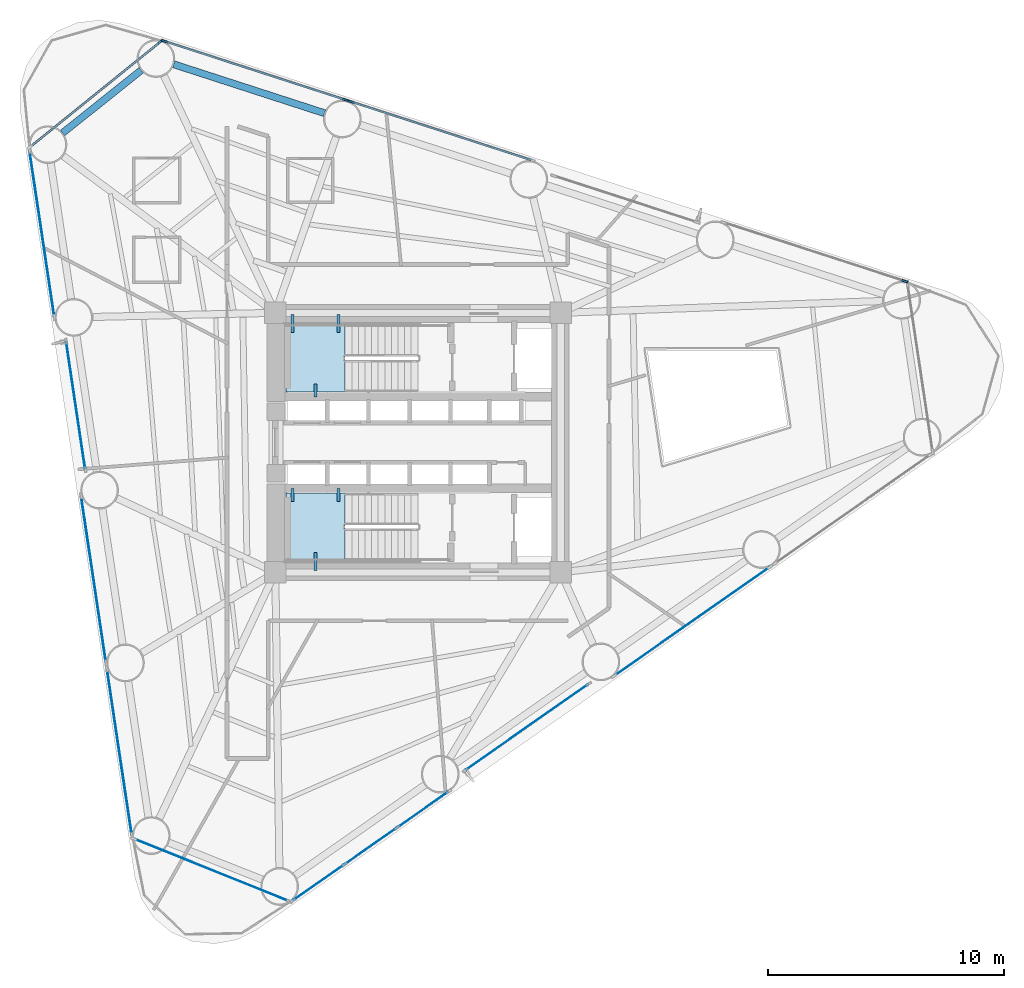
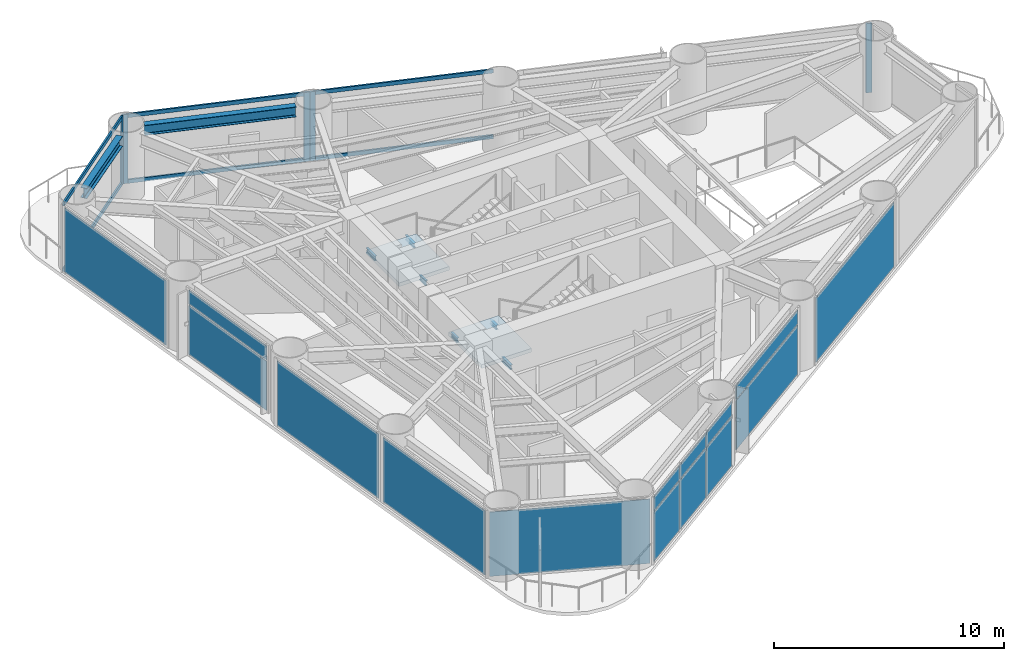
# One storey, part 4 of 9: 15 plates, 11 members, 8 beams, 2 slabs, 14 elements without a shape of their own.
"""IFC4 building model written with IfcOpenShell, lengths in metres."""

from ifc_helpers import new_model, si_unit, direction, frame, origin, origin_2d, place, context, subcontext, project, spatial, polyline, rectangle, i_section, outline, extrude, source, transform, mapped, material, layer, layer_set, material_profile, profile_set, type_object, element, aggregate, save


model = new_model("IFC4")

# Units and contexts
model_context = context("Model", 3, precision=1e-05, world=origin(), true_north=direction((0.0, 1.0)))
body_context = subcontext(model_context, "Body", "Model", "MODEL_VIEW")
ifc_project = project(units=[si_unit("LENGTHUNIT", "METRE"), si_unit("AREAUNIT", "SQUARE_METRE"), si_unit("VOLUMEUNIT", "CUBIC_METRE"), si_unit("PLANEANGLEUNIT", "RADIAN"), si_unit("MASSUNIT", "GRAM", prefix="KILO")], contexts=[model_context])

# Site, building, storey
site_placement = place(None, origin())
site = spatial("IfcSite", under=ifc_project, at=site_placement, CompositionType="ELEMENT")
building_placement = place(site_placement, origin())
building = spatial("IfcBuilding", under=site, at=building_placement, Name="Yunling Apex Tower", CompositionType="ELEMENT")
storey_placement = place(building_placement, frame((0.0, 0.0, 69.800048828125)))
storey = spatial("IfcBuildingStorey", under=building, at=storey_placement, Name="L18", CompositionType="ELEMENT", Elevation=69.800048828125)

# Beams
ifc_material_1 = material(Name="Steel Q355B", Category="steel")
ifc_material_profile_1 = material_profile(ifc_material_1, i_section(OverallWidth=0.125, OverallDepth=0.25, WebThickness=0.006103515625, FlangeThickness=0.009033203125, FilletRadius=0.011962890625, at=origin_2d()))
ifc_profile_set_1 = profile_set([ifc_material_profile_1], Name="Steel Q355B")
beam_type_1 = type_object("IfcBeamType", Name="BL-LNT-1", PredefinedType="LINTEL", material=ifc_profile_set_1)
shared_shape_1 = source(origin(), body_context, "Body", "SweptSolid", [
    extrude(i_section(OverallWidth=0.125, OverallDepth=0.25, WebThickness=0.006103515625, FlangeThickness=0.009033203125, FilletRadius=0.011962890625, at=origin_2d()), origin(), (0.0, 0.0, 1.0), 0.760009765625),
])
for number, where, z_axis, x_axis, name in (
    (1, (-5.320068359375, 5.419921875, 1.554931640625), (0.0, -1.0, 0.0), (1.0, 0.0, 0.0), "L18 ST-1 Landing Bearing Corbel 1-1"),
    (2, (-3.3701171875, 5.419921875, 1.554931640625), (0.0, -1.0, 0.0), (1.0, 0.0, 0.0), "L18 ST-1 Landing Bearing Corbel 1-2"),
    (3, (-4.344970703125, -5.419921875, 1.554931640625), (0.0, 1.0, 0.0), (-1.0, 0.0, 0.0), "L18 ST-2 Landing Bearing Corbel 1-3"),
):
    element("IfcBeam", number, at=place(storey_placement, frame(where, z_axis=z_axis, x_axis=x_axis)), inside=storey, type_object=beam_type_1, Name=name, PredefinedType="LINTEL", context=body_context, shape_type="MappedRepresentation", body=[
        mapped(shared_shape_1, transform((0.0, 0.0, 0.0), scale=1.0)),
    ])
shared_shape_2 = source(origin(), body_context, "Body", "SweptSolid", [
    extrude(i_section(OverallWidth=0.125, OverallDepth=0.25, WebThickness=0.006103515625, FlangeThickness=0.009033203125, FilletRadius=0.011962890625, at=origin_2d()), origin(), (0.0, 0.0, 1.0), 0.550048828125),
])
for number, where, z_axis, x_axis, name in (
    (4, (-4.344970703125, 1.93994140625, 1.554931640625), (0.0, 1.0, 0.0), (-1.0, 0.0, 0.0), "L18 ST-1 Landing Bearing Corbel 1-3"),
    (5, (-5.320068359375, -1.93994140625, 1.554931640625), (0.0, -1.0, 0.0), (1.0, 0.0, 0.0), "L18 ST-2 Landing Bearing Corbel 1-1"),
    (6, (-3.3701171875, -1.93994140625, 1.554931640625), (0.0, -1.0, 0.0), (1.0, 0.0, 0.0), "L18 ST-2 Landing Bearing Corbel 1-2"),
):
    element("IfcBeam", number, at=place(storey_placement, frame(where, z_axis=z_axis, x_axis=x_axis)), inside=storey, type_object=beam_type_1, Name=name, PredefinedType="LINTEL", context=body_context, shape_type="MappedRepresentation", body=[
        mapped(shared_shape_2, transform((0.0, 0.0, 0.0), scale=1.0)),
    ])
ifc_material_profile_2 = material_profile(ifc_material_1, i_section(OverallWidth=0.300048828125, OverallDepth=0.5400390625, WebThickness=0.011962890625, FlangeThickness=0.02001953125, FilletRadius=0.02392578125, at=origin_2d()))
ifc_profile_set_2 = profile_set([ifc_material_profile_2], Name="Steel Q355B")
beam_type_2 = type_object("IfcBeamType", Name="BP-SPN-1", PredefinedType="SPANDREL", material=ifc_profile_set_2)
shared_shape_3 = source(origin(), body_context, "Body", "SweptSolid", [
    extrude(i_section(OverallWidth=0.300048828125, OverallDepth=0.5400390625, WebThickness=0.011962890625, FlangeThickness=0.02001953125, FilletRadius=0.02392578125, at=origin_2d()), origin(), (0.0, 0.0, 1.0), 6.721435546875),
])
beam_1_placement = place(storey_placement, frame((-3.96484375, 13.9638671875, 3.294921875), z_axis=(-0.95126256707, 0.308382114415, 0.0), x_axis=(-0.308382114415, -0.95126256707, 0.0)))
element("IfcBeam", 7, at=beam_1_placement, inside=storey, type_object=beam_type_2, Name="L18 Perimeter Spandrel Beam 9", PredefinedType="SPANDREL", context=body_context, shape_type="MappedRepresentation", body=[
    mapped(shared_shape_3, transform((0.0, 0.0, 0.0), scale=1.0)),
])
shared_shape_4 = source(origin(), body_context, "Body", "SweptSolid", [
    extrude(i_section(OverallWidth=0.300048828125, OverallDepth=0.5400390625, WebThickness=0.011962890625, FlangeThickness=0.02001953125, FilletRadius=0.02392578125, at=origin_2d()), origin(), (0.0, 0.0, 1.0), 4.265869140625),
])
beam_2_placement = place(storey_placement, frame((-11.734619140625, 15.785888671875, 3.294921875), z_axis=(-0.781560697893, -0.623829203796, 0.0), x_axis=(0.623829203796, -0.781560697893, 0.0)))
element("IfcBeam", 8, at=beam_2_placement, inside=storey, type_object=beam_type_2, Name="L18 Perimeter Spandrel Beam 10", PredefinedType="SPANDREL", context=body_context, shape_type="MappedRepresentation", body=[
    mapped(shared_shape_4, transform((0.0, 0.0, 0.0), scale=1.0)),
])

# Curtain wall, member
ifc_material_2 = material(Name="Bronze anodised aluminium", Category="aluminium")
ifc_layer_1 = layer(ifc_material_2, 0.260009765625)
ifc_layer_set_1 = layer_set([ifc_layer_1], Name="Bronze anodised aluminium")
curtain_wall_type = type_object("IfcCurtainWallType", Name="CW-SYS-2", PredefinedType="NOTDEFINED", material=ifc_layer_set_1)
curtain_wall_1_placement = place(storey_placement, origin())
curtain_wall_1 = element("IfcCurtainWall", 9, at=curtain_wall_1_placement, inside=storey, type_object=curtain_wall_type, Name="CW-L18-F2-B1", PredefinedType="NOTDEFINED")
ifc_material_profile_3 = material_profile(ifc_material_2, rectangle(XDim=0.0849609375, YDim=0.260009765625, at=origin_2d()))
ifc_profile_set_3 = profile_set([ifc_material_profile_3], Name="Bronze anodised aluminium")
member_type_1 = type_object("IfcMemberType", Name="CW-MUL-2", PredefinedType="MULLION", material=ifc_profile_set_3)
shared_shape_5 = source(origin(), body_context, "Body", "SweptSolid", [
    extrude(rectangle(XDim=0.0849609375, YDim=0.260009765625, at=origin_2d()), origin(), (0.0, 0.0, 1.0), 3.6650390625),
])
member_1_placement = place(storey_placement, frame((20.63671875, 6.8408203125, -0.050048828125), z_axis=(0.0, 0.0, 1.0), x_axis=(-0.30835735341, -0.951270593784, 0.0)))
member_1 = element("IfcMember", 10, at=member_1_placement, type_object=member_type_1, Name="CW-SYS-2 mullion 1", PredefinedType="MULLION", context=body_context, shape_type="MappedRepresentation", body=[
    mapped(shared_shape_5, transform((0.0, 0.0, 0.0), scale=1.0)),
])
aggregate(curtain_wall_1, [member_1])

curtain_wall_2_placement = place(storey_placement, origin())
curtain_wall_2 = element("IfcCurtainWall", 11, at=curtain_wall_2_placement, inside=storey, type_object=curtain_wall_type, Name="CW-L18-F2-B3", PredefinedType="NOTDEFINED")
member_2_placement = place(storey_placement, frame((-2.84326171875, 14.451904296875, -0.050048828125), z_axis=(0.0, 0.0, 1.0), x_axis=(-0.308368457544, -0.951266994272, 0.0)))
member_2 = element("IfcMember", 12, at=member_2_placement, type_object=member_type_1, Name="CW-SYS-2 mullion 2", PredefinedType="MULLION", context=body_context, shape_type="MappedRepresentation", body=[
    mapped(shared_shape_5, transform((0.0, 0.0, 0.0), scale=1.0)),
])

# Curtain wall, members
curtain_wall_3_placement = place(storey_placement, origin())
curtain_wall_3 = element("IfcCurtainWall", 13, at=curtain_wall_3_placement, inside=storey, type_object=curtain_wall_type, Name="CW-L18-F2-B4", PredefinedType="NOTDEFINED")
member_3_placement = place(storey_placement, frame((-3.076416015625, 14.52734375, -0.050048828125), z_axis=(0.0, 0.0, 1.0), x_axis=(-0.30835735341, -0.951270593784, 0.0)))
member_3 = element("IfcMember", 14, at=member_3_placement, type_object=member_type_1, Name="CW-SYS-2 mullion 1", PredefinedType="MULLION", context=body_context, shape_type="MappedRepresentation", body=[
    mapped(shared_shape_5, transform((0.0, 0.0, 0.0), scale=1.0)),
])
member_4_placement = place(storey_placement, frame((-10.747802734375, 17.01416015625, -0.050048828125), z_axis=(0.0, 0.0, 1.0), x_axis=(-0.30835735341, -0.951270593784, 0.0)))
member_4 = element("IfcMember", 15, at=member_4_placement, type_object=member_type_1, Name="CW-SYS-2 mullion 2", PredefinedType="MULLION", context=body_context, shape_type="MappedRepresentation", body=[
    mapped(shared_shape_5, transform((0.0, 0.0, 0.0), scale=1.0)),
])

# Curtain wall, member
curtain_wall_4_placement = place(storey_placement, origin())
curtain_wall_4 = element("IfcCurtainWall", 16, at=curtain_wall_4_placement, inside=storey, type_object=curtain_wall_type, Name="CW-L18-CRN2", PredefinedType="NOTDEFINED")
member_5_placement = place(storey_placement, frame((-10.903564453125, 17.006103515625, -0.050048828125), z_axis=(0.0, 0.0, 1.0), x_axis=(0.628079941911, -0.778148820322, 0.0)))
member_5 = element("IfcMember", 17, at=member_5_placement, type_object=member_type_1, Name="CW-SYS-2 mullion 1", PredefinedType="MULLION", context=body_context, shape_type="MappedRepresentation", body=[
    mapped(shared_shape_5, transform((0.0, 0.0, 0.0), scale=1.0)),
])

# Member
ifc_material_profile_4 = material_profile(ifc_material_2, rectangle(XDim=0.0849609375, YDim=0.199951171875, at=origin_2d()))
ifc_profile_set_4 = profile_set([ifc_material_profile_4], Name="Bronze anodised aluminium")
member_type_2 = type_object("IfcMemberType", Name="CW-TRN-2", PredefinedType="USERDEFINED", material=ifc_profile_set_4)
shared_shape_6 = source(origin(), body_context, "Body", "SweptSolid", [
    extrude(rectangle(XDim=0.0849609375, YDim=0.199951171875, at=origin_2d()), origin(), (0.0, 0.0, 1.0), 7.98779296875),
])
member_6_placement = place(storey_placement, frame((4.79150390625, 11.976806640625, 0.04248046875), z_axis=(-0.951258205262, 0.308395568907, 0.0), x_axis=(-0.308395568907, -0.951258205262, 0.0)))
member_6 = element("IfcMember", 18, at=member_6_placement, type_object=member_type_2, Name="CW-SYS-2 transom 1.1", ObjectType="TRANSOM", PredefinedType="USERDEFINED", context=body_context, shape_type="MappedRepresentation", body=[
    mapped(shared_shape_6, transform((0.0, 0.0, 0.0), scale=1.0)),
])

member_7_placement = place(storey_placement, frame((4.79150390625, 11.976806640625, 3.5224609375), z_axis=(-0.951258205262, 0.308395568907, 0.0), x_axis=(-0.308395568907, -0.951258205262, 0.0)))
member_7 = element("IfcMember", 19, at=member_7_placement, type_object=member_type_2, Name="CW-SYS-2 transom 1.2", ObjectType="TRANSOM", PredefinedType="USERDEFINED", context=body_context, shape_type="MappedRepresentation", body=[
    mapped(shared_shape_6, transform((0.0, 0.0, 0.0), scale=1.0)),
])

aggregate(curtain_wall_2, [member_2, member_6, member_7])

member_8_placement = place(storey_placement, frame((-3.11279296875, 14.539306640625, 0.04248046875), z_axis=(-0.951279042821, 0.308331287237, 0.0), x_axis=(-0.308331287237, -0.951279042821, 0.0)))
member_8 = element("IfcMember", 20, at=member_8_placement, type_object=member_type_2, Name="CW-SYS-2 transom 1.1", ObjectType="TRANSOM", PredefinedType="USERDEFINED", context=body_context, shape_type="MappedRepresentation", body=[
    mapped(shared_shape_6, transform((0.0, 0.0, 0.0), scale=1.0)),
])

member_9_placement = place(storey_placement, frame((-3.11279296875, 14.539306640625, 3.5224609375), z_axis=(-0.951279042821, 0.308331287237, 0.0), x_axis=(-0.308331287237, -0.951279042821, 0.0)))
member_9 = element("IfcMember", 21, at=member_9_placement, type_object=member_type_2, Name="CW-SYS-2 transom 1.2", ObjectType="TRANSOM", PredefinedType="USERDEFINED", context=body_context, shape_type="MappedRepresentation", body=[
    mapped(shared_shape_6, transform((0.0, 0.0, 0.0), scale=1.0)),
])

aggregate(curtain_wall_3, [member_3, member_4, member_8, member_9])

shared_shape_7 = source(origin(), body_context, "Body", "SweptSolid", [
    extrude(rectangle(XDim=0.0849609375, YDim=0.199951171875, at=origin_2d()), origin(), (0.0, 0.0, 1.0), 7.03515625),
])
member_10_placement = place(storey_placement, frame((-10.933349609375, 16.982177734375, 0.04248046875), z_axis=(-0.778142739989, -0.628087474961, 0.0), x_axis=(0.628087474961, -0.778142739989, 0.0)))
member_10 = element("IfcMember", 22, at=member_10_placement, type_object=member_type_2, Name="CW-SYS-2 transom 1.1", ObjectType="TRANSOM", PredefinedType="USERDEFINED", context=body_context, shape_type="MappedRepresentation", body=[
    mapped(shared_shape_7, transform((0.0, 0.0, 0.0), scale=1.0)),
])

member_11_placement = place(storey_placement, frame((-10.933349609375, 16.982177734375, 3.5224609375), z_axis=(-0.778142739989, -0.628087474961, 0.0), x_axis=(0.628087474961, -0.778142739989, 0.0)))
member_11 = element("IfcMember", 23, at=member_11_placement, type_object=member_type_2, Name="CW-SYS-2 transom 1.2", ObjectType="TRANSOM", PredefinedType="USERDEFINED", context=body_context, shape_type="MappedRepresentation", body=[
    mapped(shared_shape_7, transform((0.0, 0.0, 0.0), scale=1.0)),
])

aggregate(curtain_wall_4, [member_5, member_10, member_11])

# Stair, slab
ifc_material_3 = material(Name="Concrete C40", Category="concrete")
stair_type = type_object("IfcStairType", Name="ST-TWR-1", PredefinedType="HALF_TURN_STAIR", material=ifc_material_3)
stair_1_placement = place(storey_placement, origin())
stair_1 = element("IfcStair", 24, at=stair_1_placement, inside=storey, type_object=stair_type, Name="L18 North Core Smokeproof Exit Stair ST-1", PredefinedType="HALF_TURN_STAIR")
ifc_layer_2 = layer(ifc_material_3, 0.195068359375)
ifc_layer_set_2 = layer_set([ifc_layer_2], Name="Concrete C40")
slab_type = type_object("IfcSlabType", Name="SL-LND-1", PredefinedType="LANDING", material=ifc_layer_set_2)
slab_1_placement = place(storey_placement, frame((0.0, 0.0, 1.679931640625)))
slab_1 = element("IfcSlab", 25, at=slab_1_placement, type_object=slab_type, Name="ST-1 landing 1", PredefinedType="LANDING", context=body_context, shape_type="SweptSolid", body=[
    extrude(outline(polyline([(-3.090087890625, 5.010009765625), (-5.60009765625, 5.010009765625), (-5.60009765625, 2.139892578125), (-3.090087890625, 2.139892578125), (-3.090087890625, 5.010009765625)])), origin(), (0.0, 0.0, 1.0), 0.195068359375),
])
aggregate(stair_1, [slab_1])

stair_2_placement = place(storey_placement, origin())
stair_2 = element("IfcStair", 26, at=stair_2_placement, inside=storey, type_object=stair_type, Name="L18 South Core Smokeproof Exit Stair ST-2", PredefinedType="HALF_TURN_STAIR")
slab_2_placement = place(storey_placement, frame((0.0, 0.0, 1.679931640625)))
slab_2 = element("IfcSlab", 27, at=slab_2_placement, type_object=slab_type, Name="ST-2 landing 1", PredefinedType="LANDING", context=body_context, shape_type="SweptSolid", body=[
    extrude(outline(polyline([(-3.090087890625, -2.139892578125), (-5.60009765625, -2.139892578125), (-5.60009765625, -5.010009765625), (-3.090087890625, -5.010009765625), (-3.090087890625, -2.139892578125)])), origin(), (0.0, 0.0, 1.0), 0.195068359375),
])
aggregate(stair_2, [slab_2])

# Curtain wall, plates
curtain_wall_5_placement = place(storey_placement, origin())
curtain_wall_5 = element("IfcCurtainWall", 28, at=curtain_wall_5_placement, inside=storey, type_object=curtain_wall_type, Name="CW-L18-F1-B1", PredefinedType="NOTDEFINED")
ifc_material_4 = material(Name="Bronze tinted low-E glass", Category="glass")
ifc_layer_3 = layer(ifc_material_4, 0.033935546875)
ifc_layer_set_3 = layer_set([ifc_layer_3], Name="Bronze tinted low-E glass")
plate_type = type_object("IfcPlateType", Name="CW-PNL-2", PredefinedType="CURTAIN_PANEL", material=ifc_layer_set_3)
shared_shape_8 = source(origin(), body_context, "Body", "SweptSolid", [
    extrude(rectangle(XDim=2.60546875, YDim=0.033935546875, at=origin_2d()), origin(), (0.0, 0.0, 1.0), 2.60400390625),
])
plate_1_placement = place(storey_placement, frame((-4.2080078125, -18.64697265625, 0.07666015625), z_axis=(0.0, 0.0, 1.0), x_axis=(0.819552319691, 0.573004358875, 0.0)))
plate_1 = element("IfcPlate", 29, at=plate_1_placement, type_object=plate_type, Name="CW-SYS-2 panel 1.1", PredefinedType="CURTAIN_PANEL", context=body_context, shape_type="MappedRepresentation", body=[
    mapped(shared_shape_8, transform((0.0, 0.0, 0.0), scale=1.0)),
])
plate_2_placement = place(storey_placement, frame((0.209716796875, -15.55810546875, 0.07666015625), z_axis=(0.0, 0.0, 1.0), x_axis=(0.819552319691, 0.573004358875, 0.0)))
plate_2 = element("IfcPlate", 30, at=plate_2_placement, type_object=plate_type, Name="CW-SYS-2 panel 3.1", PredefinedType="CURTAIN_PANEL", context=body_context, shape_type="MappedRepresentation", body=[
    mapped(shared_shape_8, transform((0.0, 0.0, 0.0), scale=1.0)),
])
shared_shape_9 = source(origin(), body_context, "Body", "SweptSolid", [
    extrude(rectangle(XDim=2.60546875, YDim=0.033935546875, at=origin_2d()), origin(), (0.0, 0.0, 1.0), 0.739013671875),
])
plate_3_placement = place(storey_placement, frame((-4.2080078125, -18.64697265625, 2.7490234375), z_axis=(0.0, 0.0, 1.0), x_axis=(0.819552319691, 0.573004358875, 0.0)))
plate_3 = element("IfcPlate", 31, at=plate_3_placement, type_object=plate_type, Name="CW-SYS-2 panel 1.2", PredefinedType="CURTAIN_PANEL", context=body_context, shape_type="MappedRepresentation", body=[
    mapped(shared_shape_9, transform((0.0, 0.0, 0.0), scale=1.0)),
])
plate_4_placement = place(storey_placement, frame((0.209716796875, -15.55810546875, 2.7490234375), z_axis=(0.0, 0.0, 1.0), x_axis=(0.819552319691, 0.573004358875, 0.0)))
plate_4 = element("IfcPlate", 32, at=plate_4_placement, type_object=plate_type, Name="CW-SYS-2 panel 3.2", PredefinedType="CURTAIN_PANEL", context=body_context, shape_type="MappedRepresentation", body=[
    mapped(shared_shape_9, transform((0.0, 0.0, 0.0), scale=1.0)),
])
shared_shape_10 = source(origin(), body_context, "Body", "SweptSolid", [
    extrude(rectangle(XDim=2.64794921875, YDim=0.033935546875, at=origin_2d()), origin(), (0.0, 0.0, 1.0), 2.60400390625),
])
plate_5_placement = place(storey_placement, frame((-1.9990234375, -17.1025390625, 0.07666015625), z_axis=(0.0, 0.0, 1.0), x_axis=(0.819552319691, 0.573004358875, 0.0)))
plate_5 = element("IfcPlate", 33, at=plate_5_placement, type_object=plate_type, Name="CW-SYS-2 panel 2.1", PredefinedType="CURTAIN_PANEL", context=body_context, shape_type="MappedRepresentation", body=[
    mapped(shared_shape_10, transform((0.0, 0.0, 0.0), scale=1.0)),
])
shared_shape_11 = source(origin(), body_context, "Body", "SweptSolid", [
    extrude(rectangle(XDim=2.64794921875, YDim=0.033935546875, at=origin_2d()), origin(), (0.0, 0.0, 1.0), 0.739013671875),
])
plate_6_placement = place(storey_placement, frame((-1.9990234375, -17.1025390625, 2.7490234375), z_axis=(0.0, 0.0, 1.0), x_axis=(0.819552319691, 0.573004358875, 0.0)))
plate_6 = element("IfcPlate", 34, at=plate_6_placement, type_object=plate_type, Name="CW-SYS-2 panel 2.2", PredefinedType="CURTAIN_PANEL", context=body_context, shape_type="MappedRepresentation", body=[
    mapped(shared_shape_11, transform((0.0, 0.0, 0.0), scale=1.0)),
])
aggregate(curtain_wall_5, [plate_1, plate_3, plate_5, plate_6, plate_2, plate_4])

curtain_wall_6_placement = place(storey_placement, origin())
curtain_wall_6 = element("IfcCurtainWall", 35, at=curtain_wall_6_placement, inside=storey, type_object=curtain_wall_type, Name="CW-L18-F1-B2", PredefinedType="NOTDEFINED")
shared_shape_12 = source(origin(), body_context, "Body", "SweptSolid", [
    extrude(rectangle(XDim=6.315673828125, YDim=0.033935546875, at=origin_2d()), origin(), (0.0, 0.0, 1.0), 2.60400390625),
])
plate_7_placement = place(storey_placement, frame((4.615966796875, -12.0625, 0.07666015625), z_axis=(0.0, 0.0, 1.0), x_axis=(0.819553499175, 0.573002671888, 0.0)))
plate_7 = element("IfcPlate", 36, at=plate_7_placement, type_object=plate_type, Name="CW-SYS-2 panel 1.1", PredefinedType="CURTAIN_PANEL", context=body_context, shape_type="MappedRepresentation", body=[
    mapped(shared_shape_12, transform((0.0, 0.0, 0.0), scale=1.0)),
])
shared_shape_13 = source(origin(), body_context, "Body", "SweptSolid", [
    extrude(rectangle(XDim=6.315673828125, YDim=0.033935546875, at=origin_2d()), origin(), (0.0, 0.0, 1.0), 0.739013671875),
])
plate_8_placement = place(storey_placement, frame((4.615966796875, -12.0625, 2.7490234375), z_axis=(0.0, 0.0, 1.0), x_axis=(0.819553499175, 0.573002671888, 0.0)))
plate_8 = element("IfcPlate", 37, at=plate_8_placement, type_object=plate_type, Name="CW-SYS-2 panel 1.2", PredefinedType="CURTAIN_PANEL", context=body_context, shape_type="MappedRepresentation", body=[
    mapped(shared_shape_13, transform((0.0, 0.0, 0.0), scale=1.0)),
])
aggregate(curtain_wall_6, [plate_7, plate_8])

# Curtain wall, plate
curtain_wall_7_placement = place(storey_placement, origin())
curtain_wall_7 = element("IfcCurtainWall", 38, at=curtain_wall_7_placement, inside=storey, type_object=curtain_wall_type, Name="CW-L18-F1-B3", PredefinedType="NOTDEFINED")
shared_shape_14 = source(origin(), body_context, "Body", "SweptSolid", [
    extrude(rectangle(XDim=7.995849609375, YDim=0.033935546875, at=origin_2d()), origin(), (0.0, 0.0, 1.0), 3.41162109375),
])
plate_9_placement = place(storey_placement, frame((11.62060546875, -7.579833984375, 0.07666015625), z_axis=(0.0, 0.0, 1.0), x_axis=(0.819558082217, 0.572996116804, 0.0)))
plate_9 = element("IfcPlate", 39, at=plate_9_placement, type_object=plate_type, Name="CW-SYS-2 panel 1.1", PredefinedType="CURTAIN_PANEL", context=body_context, shape_type="MappedRepresentation", body=[
    mapped(shared_shape_14, transform((0.0, 0.0, 0.0), scale=1.0)),
])
aggregate(curtain_wall_7, [plate_9])

curtain_wall_8_placement = place(storey_placement, origin())
curtain_wall_8 = element("IfcCurtainWall", 40, at=curtain_wall_8_placement, inside=storey, type_object=curtain_wall_type, Name="CW-L18-CRN3", PredefinedType="NOTDEFINED")
shared_shape_15 = source(origin(), body_context, "Body", "SweptSolid", [
    extrude(rectangle(XDim=7.043212890625, YDim=0.033935546875, at=origin_2d()), origin(), (0.0, 0.0, 1.0), 3.41162109375),
])
plate_10_placement = place(storey_placement, frame((-8.75390625, -18.1240234375, 0.07666015625), z_axis=(0.0, 0.0, 1.0), x_axis=(0.927773562961, -0.373143693329, 0.0)))
plate_10 = element("IfcPlate", 41, at=plate_10_placement, type_object=plate_type, Name="CW-SYS-2 panel 1.1", PredefinedType="CURTAIN_PANEL", context=body_context, shape_type="MappedRepresentation", body=[
    mapped(shared_shape_15, transform((0.0, 0.0, 0.0), scale=1.0)),
])
aggregate(curtain_wall_8, [plate_10])

curtain_wall_9_placement = place(storey_placement, origin())
curtain_wall_9 = element("IfcCurtainWall", 42, at=curtain_wall_9_placement, inside=storey, type_object=curtain_wall_type, Name="CW-L18-F3-B1", PredefinedType="NOTDEFINED")
shared_shape_16 = source(origin(), body_context, "Body", "SweptSolid", [
    extrude(rectangle(XDim=7.091552734375, YDim=0.033935546875, at=origin_2d()), origin(), (0.0, 0.0, 1.0), 3.41162109375),
])
plate_11_placement = place(storey_placement, frame((-15.943115234375, 8.847900390625, 0.07666015625), z_axis=(0.0, 0.0, 1.0), x_axis=(0.147799122579, -0.989017400941, 0.0)))
plate_11 = element("IfcPlate", 43, at=plate_11_placement, type_object=plate_type, Name="CW-SYS-2 panel 1.1", PredefinedType="CURTAIN_PANEL", context=body_context, shape_type="MappedRepresentation", body=[
    mapped(shared_shape_16, transform((0.0, 0.0, 0.0), scale=1.0)),
])
aggregate(curtain_wall_9, [plate_11])

# Curtain wall, plates
curtain_wall_10_placement = place(storey_placement, origin())
curtain_wall_10 = element("IfcCurtainWall", 44, at=curtain_wall_10_placement, inside=storey, type_object=curtain_wall_type, Name="CW-L18-F3-B2", PredefinedType="NOTDEFINED")
shared_shape_17 = source(origin(), body_context, "Body", "SweptSolid", [
    extrude(rectangle(XDim=5.411376953125, YDim=0.033935546875, at=origin_2d()), origin(), (0.0, 0.0, 1.0), 2.60400390625),
])
plate_12_placement = place(storey_placement, frame((-14.51220703125, 1.57470703125, 0.07666015625), z_axis=(0.0, 0.0, 1.0), x_axis=(0.147800900076, -0.98901713531, 0.0)))
plate_12 = element("IfcPlate", 45, at=plate_12_placement, type_object=plate_type, Name="CW-SYS-2 panel 1.1", PredefinedType="CURTAIN_PANEL", context=body_context, shape_type="MappedRepresentation", body=[
    mapped(shared_shape_17, transform((0.0, 0.0, 0.0), scale=1.0)),
])
shared_shape_18 = source(origin(), body_context, "Body", "SweptSolid", [
    extrude(rectangle(XDim=5.411376953125, YDim=0.033935546875, at=origin_2d()), origin(), (0.0, 0.0, 1.0), 0.739013671875),
])
plate_13_placement = place(storey_placement, frame((-14.51220703125, 1.57470703125, 2.7490234375), z_axis=(0.0, 0.0, 1.0), x_axis=(0.147800900076, -0.98901713531, 0.0)))
plate_13 = element("IfcPlate", 46, at=plate_13_placement, type_object=plate_type, Name="CW-SYS-2 panel 1.2", PredefinedType="CURTAIN_PANEL", context=body_context, shape_type="MappedRepresentation", body=[
    mapped(shared_shape_18, transform((0.0, 0.0, 0.0), scale=1.0)),
])
aggregate(curtain_wall_10, [plate_12, plate_13])

# Curtain wall, plate
curtain_wall_11_placement = place(storey_placement, origin())
curtain_wall_11 = element("IfcCurtainWall", 47, at=curtain_wall_11_placement, inside=storey, type_object=curtain_wall_type, Name="CW-L18-F3-B3", PredefinedType="NOTDEFINED")
shared_shape_19 = source(origin(), body_context, "Body", "SweptSolid", [
    extrude(rectangle(XDim=7.09130859375, YDim=0.033935546875, at=origin_2d()), origin(), (0.0, 0.0, 1.0), 3.41162109375),
])
plate_14_placement = place(storey_placement, frame((-13.75390625, -5.799072265625, 0.07666015625), z_axis=(0.0, 0.0, 1.0), x_axis=(0.147814641525, -0.98901508166, 0.0)))
plate_14 = element("IfcPlate", 48, at=plate_14_placement, type_object=plate_type, Name="CW-SYS-2 panel 1.1", PredefinedType="CURTAIN_PANEL", context=body_context, shape_type="MappedRepresentation", body=[
    mapped(shared_shape_19, transform((0.0, 0.0, 0.0), scale=1.0)),
])
aggregate(curtain_wall_11, [plate_14])

curtain_wall_12_placement = place(storey_placement, origin())
curtain_wall_12 = element("IfcCurtainWall", 49, at=curtain_wall_12_placement, inside=storey, type_object=curtain_wall_type, Name="CW-L18-F3-B4", PredefinedType="NOTDEFINED")
plate_15_placement = place(storey_placement, frame((-12.659423828125, -13.12255859375, 0.07666015625), z_axis=(0.0, 0.0, 1.0), x_axis=(0.14780114022, -0.989017099422, 0.0)))
plate_15 = element("IfcPlate", 50, at=plate_15_placement, type_object=plate_type, Name="CW-SYS-2 panel 1.1", PredefinedType="CURTAIN_PANEL", context=body_context, shape_type="MappedRepresentation", body=[
    mapped(shared_shape_19, transform((0.0, 0.0, 0.0), scale=1.0)),
])
aggregate(curtain_wall_12, [plate_15])

save(model, "model.ifc")
